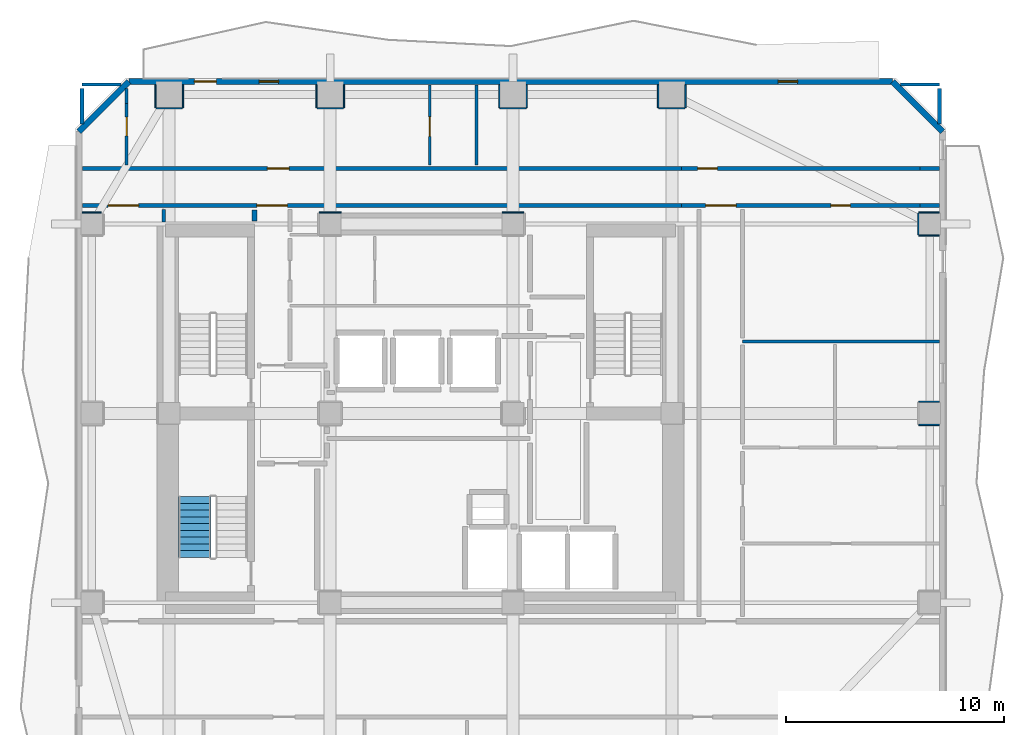
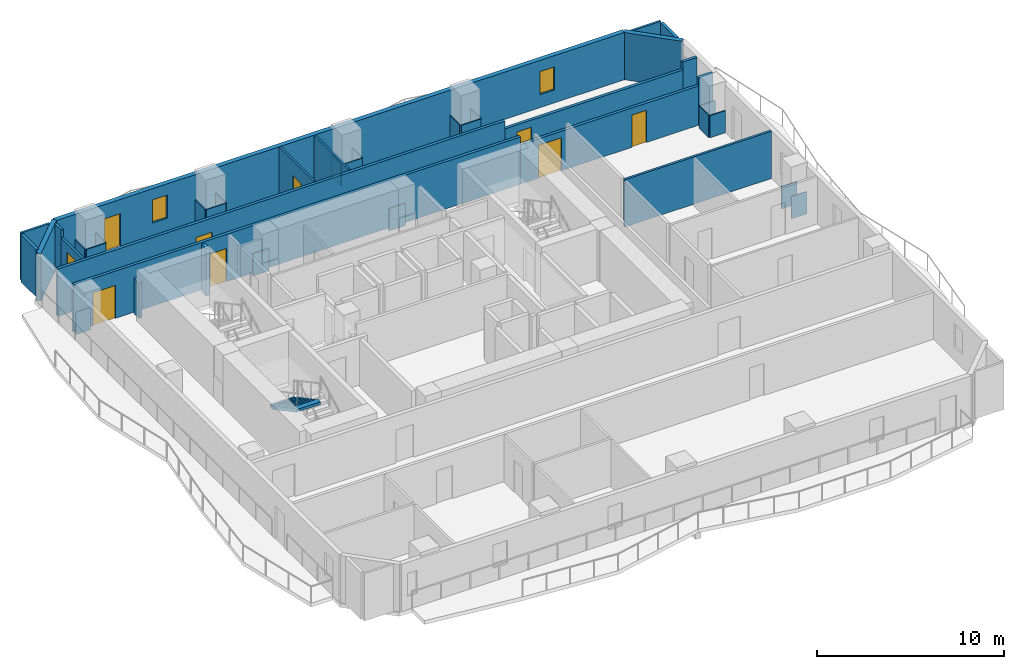
# One storey, part 5 of 9: 40 walls, 9 doors, 2 windows, 1 stair flight, 11 openings, 1 element without a shape of its own.
"""IFC4 building model written with IfcOpenShell, lengths in metres."""

from ifc_helpers import new_model, si_unit, direction, frame, frame_2d, origin, place, context, subcontext, project, spatial, polyline, rectangle, outline, extrude, material, layer, layer_set, type_object, element, fill, aggregate, save


model = new_model("IFC4")

# Units and contexts
model_context = context("Model", 3, precision=1e-05, world=origin(), true_north=direction((0.0, 1.0)))
body_context = subcontext(model_context, "Body", "Model", "MODEL_VIEW")
ifc_project = project(units=[si_unit("LENGTHUNIT", "METRE"), si_unit("AREAUNIT", "SQUARE_METRE"), si_unit("VOLUMEUNIT", "CUBIC_METRE"), si_unit("PLANEANGLEUNIT", "RADIAN"), si_unit("MASSUNIT", "GRAM", prefix="KILO")], contexts=[model_context])

# Site, building, storey
site_placement = place(None, origin())
site = spatial("IfcSite", under=ifc_project, at=site_placement, CompositionType="ELEMENT")
building_placement = place(site_placement, origin())
building = spatial("IfcBuilding", under=site, at=building_placement, Name="Solanera Arch Residences", CompositionType="ELEMENT")
storey_placement = place(building_placement, frame((0.0, 0.0, 139.280029296875)))
storey = spatial("IfcBuildingStorey", under=building, at=storey_placement, Name="L40", CompositionType="ELEMENT", Elevation=139.280029296875)

# Walls
ifc_material_1 = material(Name="Fire-Rated Gypsum Stud Partition", Category="gypsum")
ifc_layer_1 = layer(ifc_material_1, 0.06005859375)
ifc_layer_set_1 = layer_set([ifc_layer_1], Name="Fire-Rated Gypsum Stud Partition")
wall_type_1 = type_object("IfcWallType", Name="Column Acoustic Furring Wall 60", PredefinedType="PARTITIONING", material=ifc_layer_set_1)
for number, where, z_axis, x_axis, name in (
    (1, (20.300048828125, 39.931884765625, 0.0), (0.0, 0.0, 1.0), (1.0, 0.0, 0.0), "L40 Column Furring 3N"),
    (2, (28.699951171875, 39.931884765625, 0.0), (0.0, 0.0, 1.0), (1.0, 0.0, 0.0), "L40 Column Furring 4N"),
):
    element("IfcWall", number, at=place(storey_placement, frame(where, z_axis=z_axis, x_axis=x_axis)), inside=storey, type_object=wall_type_1, Name=name, PredefinedType="PARTITIONING", context=body_context, shape_type="SweptSolid", body=[
        extrude(rectangle(XDim=1.0, YDim=0.06005859375, at=frame_2d((0.5, 0.0))), origin(), (0.0, 0.0, 1.0), 1.449951171875),
    ])
wall_1_placement = place(storey_placement, frame((12.800048828125, 44.718017578125, 0.0), z_axis=(0.0, 0.0, 1.0), x_axis=(1.0, 0.0, 0.0)))
element("IfcWall", 3, at=wall_1_placement, inside=storey, type_object=wall_type_1, Name="L40 Column Furring 10S", PredefinedType="PARTITIONING", context=body_context, shape_type="SweptSolid", body=[
    extrude(rectangle(XDim=1.199951171875, YDim=0.06005859375, at=frame_2d((0.60009765625, 0.0))), origin(), (0.0, 0.0, 1.0), 1.449951171875),
])
for number, where, z_axis, x_axis, name in (
    (4, (12.76806640625, 44.75, 0.0), (0.0, 0.0, 1.0), (0.0, 1.0, 0.0), "L40 Column Furring 10W"),
    (5, (14.031982421875, 44.75, 0.0), (0.0, 0.0, 1.0), (0.0, 1.0, 0.0), "L40 Column Furring 10E"),
):
    element("IfcWall", number, at=place(storey_placement, frame(where, z_axis=z_axis, x_axis=x_axis)), inside=storey, type_object=wall_type_1, Name=name, PredefinedType="PARTITIONING", context=body_context, shape_type="SweptSolid", body=[
        extrude(rectangle(XDim=1.0400390625, YDim=0.06005859375, at=frame_2d((0.52001953125, 0.0))), origin(), (0.0, 0.0, 1.0), 1.449951171875),
    ])
wall_2_placement = place(storey_placement, frame((20.199951171875, 44.718017578125, 0.0), z_axis=(0.0, 0.0, 1.0), x_axis=(1.0, 0.0, 0.0)))
element("IfcWall", 6, at=wall_2_placement, inside=storey, type_object=wall_type_1, Name="L40 Column Furring 12S", PredefinedType="PARTITIONING", context=body_context, shape_type="SweptSolid", body=[
    extrude(rectangle(XDim=1.199951171875, YDim=0.06005859375, at=frame_2d((0.60009765625, 0.0))), origin(), (0.0, 0.0, 1.0), 1.449951171875),
])
for number, where, z_axis, x_axis, name in (
    (7, (20.16796875, 44.75, 0.0), (0.0, 0.0, 1.0), (0.0, 1.0, 0.0), "L40 Column Furring 12W"),
    (8, (21.431884765625, 44.75, 0.0), (0.0, 0.0, 1.0), (0.0, 1.0, 0.0), "L40 Column Furring 12E"),
):
    element("IfcWall", number, at=place(storey_placement, frame(where, z_axis=z_axis, x_axis=x_axis)), inside=storey, type_object=wall_type_1, Name=name, PredefinedType="PARTITIONING", context=body_context, shape_type="SweptSolid", body=[
        extrude(rectangle(XDim=1.0400390625, YDim=0.06005859375, at=frame_2d((0.52001953125, 0.0))), origin(), (0.0, 0.0, 1.0), 1.449951171875),
    ])
wall_3_placement = place(storey_placement, frame((28.60009765625, 44.718017578125, 0.0), z_axis=(0.0, 0.0, 1.0), x_axis=(1.0, 0.0, 0.0)))
element("IfcWall", 9, at=wall_3_placement, inside=storey, type_object=wall_type_1, Name="L40 Column Furring 14S", PredefinedType="PARTITIONING", context=body_context, shape_type="SweptSolid", body=[
    extrude(rectangle(XDim=1.199951171875, YDim=0.06005859375, at=frame_2d((0.60009765625, 0.0))), origin(), (0.0, 0.0, 1.0), 1.449951171875),
])
for number, where, z_axis, x_axis, name in (
    (10, (28.568115234375, 44.75, 0.0), (0.0, 0.0, 1.0), (0.0, 1.0, 0.0), "L40 Column Furring 14W"),
    (11, (29.83203125, 44.75, 0.0), (0.0, 0.0, 1.0), (0.0, 1.0, 0.0), "L40 Column Furring 14E"),
):
    element("IfcWall", number, at=place(storey_placement, frame(where, z_axis=z_axis, x_axis=x_axis)), inside=storey, type_object=wall_type_1, Name=name, PredefinedType="PARTITIONING", context=body_context, shape_type="SweptSolid", body=[
        extrude(rectangle(XDim=1.0400390625, YDim=0.06005859375, at=frame_2d((0.52001953125, 0.0))), origin(), (0.0, 0.0, 1.0), 1.449951171875),
    ])
wall_4_placement = place(storey_placement, frame((35.89990234375, 44.718017578125, 0.0), z_axis=(0.0, 0.0, 1.0), x_axis=(1.0, 0.0, 0.0)))
element("IfcWall", 12, at=wall_4_placement, inside=storey, type_object=wall_type_1, Name="L40 Column Furring 16S", PredefinedType="PARTITIONING", context=body_context, shape_type="SweptSolid", body=[
    extrude(rectangle(XDim=1.2001953125, YDim=0.06005859375, at=frame_2d((0.60009765625, 0.0))), origin(), (0.0, 0.0, 1.0), 1.449951171875),
])
for number, where, z_axis, x_axis, name in (
    (13, (35.867919921875, 44.75, 0.0), (0.0, 0.0, 1.0), (0.0, 1.0, 0.0), "L40 Column Furring 16W"),
    (14, (37.132080078125, 44.75, 0.0), (0.0, 0.0, 1.0), (0.0, 1.0, 0.0), "L40 Column Furring 16E"),
):
    element("IfcWall", number, at=place(storey_placement, frame(where, z_axis=z_axis, x_axis=x_axis)), inside=storey, type_object=wall_type_1, Name=name, PredefinedType="PARTITIONING", context=body_context, shape_type="SweptSolid", body=[
        extrude(rectangle(XDim=1.0400390625, YDim=0.06005859375, at=frame_2d((0.52001953125, 0.0))), origin(), (0.0, 0.0, 1.0), 1.449951171875),
    ])
for number, where, z_axis, x_axis, name in (
    (15, (47.85009765625, 30.16796875, 0.0), (0.0, 0.0, 1.0), (1.0, 0.0, 0.0), "L40 Column Furring 20S"),
    (16, (47.85009765625, 31.23193359375, 0.0), (0.0, 0.0, 1.0), (1.0, 0.0, 0.0), "L40 Column Furring 20N"),
):
    element("IfcWall", number, at=place(storey_placement, frame(where, z_axis=z_axis, x_axis=x_axis)), inside=storey, type_object=wall_type_1, Name=name, PredefinedType="PARTITIONING", context=body_context, shape_type="SweptSolid", body=[
        extrude(rectangle(XDim=0.93994140625, YDim=0.06005859375, at=frame_2d((0.469970703125, 0.0))), origin(), (0.0, 0.0, 1.0), 1.449951171875),
    ])
wall_5_placement = place(storey_placement, frame((9.409912109375, 39.931884765625, 0.0), z_axis=(0.0, 0.0, 1.0), x_axis=(1.0, 0.0, 0.0)))
element("IfcWall", 17, at=wall_5_placement, inside=storey, type_object=wall_type_1, Name="L40 Column Furring 21N", PredefinedType="PARTITIONING", context=body_context, shape_type="SweptSolid", body=[
    extrude(rectangle(XDim=0.87109375, YDim=0.06005859375, at=frame_2d((0.435546875, 0.0))), origin(), (0.0, 0.0, 1.0), 1.449951171875),
])
for number, where, z_axis, x_axis, name in (
    (18, (47.85009765625, 38.867919921875, 0.0), (0.0, 0.0, 1.0), (1.0, 0.0, 0.0), "L40 Column Furring 22S"),
    (19, (47.85009765625, 39.931884765625, 0.0), (0.0, 0.0, 1.0), (1.0, 0.0, 0.0), "L40 Column Furring 22N"),
):
    element("IfcWall", number, at=place(storey_placement, frame(where, z_axis=z_axis, x_axis=x_axis)), inside=storey, type_object=wall_type_1, Name=name, PredefinedType="PARTITIONING", context=body_context, shape_type="SweptSolid", body=[
        extrude(rectangle(XDim=0.93994140625, YDim=0.06005859375, at=frame_2d((0.469970703125, 0.0))), origin(), (0.0, 0.0, 1.0), 1.449951171875),
    ])
wall_6_placement = place(storey_placement, frame((47.818115234375, 38.89990234375, 0.0), z_axis=(0.0, 0.0, 1.0), x_axis=(0.0, 1.0, 0.0)))
element("IfcWall", 20, at=wall_6_placement, inside=storey, type_object=wall_type_1, Name="L40 Column Furring 22W", PredefinedType="PARTITIONING", context=body_context, shape_type="SweptSolid", body=[
    extrude(rectangle(XDim=1.0, YDim=0.06005859375, at=frame_2d((0.5, 0.0))), origin(), (0.0, 0.0, 1.0), 1.449951171875),
])

# Wall, openings, doors
ifc_material_2 = material(Name="Autoclaved Aerated Concrete Blockwork", Category="masonry")
ifc_layer_2 = layer(ifc_material_2, 0.179931640625)
ifc_layer_set_2 = layer_set([ifc_layer_2], Name="Autoclaved Aerated Concrete Blockwork")
wall_type_2 = type_object("IfcWallType", Name="Corridor Fire Partition 180", PredefinedType="PARTITIONING", material=ifc_layer_set_2)
wall_7_placement = place(storey_placement, frame((9.406982421875, 40.25, 0.0), z_axis=(0.0, 0.0, 1.0), x_axis=(1.0, 0.0, 0.0)))
wall_7 = element("IfcWall", 21, at=wall_7_placement, inside=storey, type_object=wall_type_2, Name="L40 Interior Partition H10 1", PredefinedType="PARTITIONING", context=body_context, shape_type="SweptSolid", body=[
    extrude(rectangle(XDim=27.5361328125, YDim=0.179931640625, at=frame_2d((13.76806640625, 0.0))), origin(), (0.0, 0.0, 1.0), 3.080078125),
])
opening_1_placement = place(wall_7_placement, frame((8.028076171875, 0.0, 0.0)))
opening_1 = element("IfcOpeningElement", 22, at=opening_1_placement, cuts=wall_7, Name="Opening DF-03", PredefinedType="OPENING", context=body_context, shape_type="SweptSolid", body=[
    extrude(rectangle(XDim=1.39990234375, YDim=2.14990234375, at=frame_2d((0.699951171875, 1.074951171875))), frame((0.0, 0.10009765625, 0.0), z_axis=(0.0, -1.0, 0.0), x_axis=(1.0, 0.0, 0.0)), (0.0, 0.0, 1.0), 0.1999),
])
opening_2_placement = place(wall_7_placement, frame((1.19189453125, 0.0, 0.0)))
opening_2 = element("IfcOpeningElement", 23, at=opening_2_placement, cuts=wall_7, Name="Opening DF-03", PredefinedType="OPENING", context=body_context, shape_type="SweptSolid", body=[
    extrude(rectangle(XDim=1.39990234375, YDim=2.14990234375, at=frame_2d((0.699951171875, 1.074951171875))), frame((0.0, 0.10009765625, 0.0), z_axis=(0.0, -1.0, 0.0), x_axis=(1.0, 0.0, 0.0)), (0.0, 0.0, 1.0), 0.1999),
])
ifc_material_3 = material(Name="Fire-Rated Architectural Hardwood", Category="wood")
door_type_1 = type_object("IfcDoorType", Name="Corridor Smoke Door DF-03", OperationType="NOTDEFINED", PredefinedType="DOOR", material=ifc_material_3)
door_1_placement = place(opening_1_placement, origin())
door_1 = element("IfcDoor", 24, at=door_1_placement, inside=storey, type_object=door_type_1, Name="DR-L40-IN-009", OperationType="SINGLE_SWING_RIGHT", OverallHeight=2.14990234375, OverallWidth=1.39990234375, PredefinedType="DOOR", context=body_context, shape_type="SweptSolid", body=[
    extrude(rectangle(XDim=1.39990234375, YDim=2.14990234375, at=frame_2d((0.699951171875, 1.074951171875))), frame((0.0, 0.02490234375, 0.0), z_axis=(0.0, -1.0, 0.0), x_axis=(1.0, 0.0, 0.0)), (0.0, 0.0, 1.0), 0.050048828125),
])
fill(opening_1, door_1)
door_2_placement = place(opening_2_placement, origin())
door_2 = element("IfcDoor", 25, at=door_2_placement, inside=storey, type_object=door_type_1, Name="DR-L40-IN-012", OperationType="SINGLE_SWING_LEFT", OverallHeight=2.14990234375, OverallWidth=1.39990234375, PredefinedType="DOOR", context=body_context, shape_type="SweptSolid", body=[
    extrude(rectangle(XDim=1.39990234375, YDim=2.14990234375, at=frame_2d((0.699951171875, 1.074951171875))), frame((0.0, 0.02490234375, 0.0), z_axis=(0.0, -1.0, 0.0), x_axis=(1.0, 0.0, 0.0)), (0.0, 0.0, 1.0), 0.050048828125),
])
fill(opening_2, door_2)

wall_8_placement = place(storey_placement, frame((36.943115234375, 40.25, 0.0), z_axis=(0.0, 0.0, 1.0), x_axis=(1.0, 0.0, 0.0)))
wall_8 = element("IfcWall", 26, at=wall_8_placement, inside=storey, type_object=wall_type_2, Name="L40 Interior Partition H10 2", PredefinedType="PARTITIONING", context=body_context, shape_type="SweptSolid", body=[
    extrude(rectangle(XDim=10.9638671875, YDim=0.179931640625, at=frame_2d((5.48193359375, 0.0))), origin(), (0.0, 0.0, 1.0), 2.56494140625),
])
opening_3_placement = place(wall_8_placement, frame((1.10693359375, 0.0, 0.0)))
opening_3 = element("IfcOpeningElement", 27, at=opening_3_placement, cuts=wall_8, Name="Opening DF-03", PredefinedType="OPENING", context=body_context, shape_type="SweptSolid", body=[
    extrude(rectangle(XDim=1.39990234375, YDim=2.14990234375, at=frame_2d((0.699951171875, 1.074951171875))), frame((0.0, 0.10009765625, 0.0), z_axis=(0.0, -1.0, 0.0), x_axis=(1.0, 0.0, 0.0)), (0.0, 0.0, 1.0), 0.1999),
])
opening_4_placement = place(wall_8_placement, frame((6.85791015625, 0.0, 0.0)))
opening_4 = element("IfcOpeningElement", 28, at=opening_4_placement, cuts=wall_8, Name="Opening DI-02", PredefinedType="OPENING", context=body_context, shape_type="SweptSolid", body=[
    extrude(rectangle(XDim=0.89990234375, YDim=2.10009765625, at=frame_2d((0.449951171875, 1.050048828125))), frame((0.0, 0.10009765625, 0.0), z_axis=(0.0, -1.0, 0.0), x_axis=(1.0, 0.0, 0.0)), (0.0, 0.0, 1.0), 0.1999),
])
door_3_placement = place(opening_3_placement, origin())
door_3 = element("IfcDoor", 29, at=door_3_placement, inside=storey, type_object=door_type_1, Name="DR-L40-IN-013", OperationType="SINGLE_SWING_RIGHT", OverallHeight=2.14990234375, OverallWidth=1.39990234375, PredefinedType="DOOR", context=body_context, shape_type="SweptSolid", body=[
    extrude(rectangle(XDim=1.39990234375, YDim=2.14990234375, at=frame_2d((0.699951171875, 1.074951171875))), frame((0.0, 0.02490234375, 0.0), z_axis=(0.0, -1.0, 0.0), x_axis=(1.0, 0.0, 0.0)), (0.0, 0.0, 1.0), 0.050048828125),
])
fill(opening_3, door_3)
ifc_material_4 = material(Name="Fire-Rated Architectural Hardwood", Category="wood")
door_type_2 = type_object("IfcDoorType", Name="Suite Room Swing Door DI-02", OperationType="NOTDEFINED", PredefinedType="DOOR", material=ifc_material_4)
door_4_placement = place(opening_4_placement, origin())
door_4 = element("IfcDoor", 30, at=door_4_placement, inside=storey, type_object=door_type_2, Name="DR-L40-IN-030", OperationType="SINGLE_SWING_LEFT", OverallHeight=2.10009765625, OverallWidth=0.89990234375, PredefinedType="DOOR", context=body_context, shape_type="SweptSolid", body=[
    extrude(rectangle(XDim=0.89990234375, YDim=2.10009765625, at=frame_2d((0.449951171875, 1.050048828125))), frame((0.0, 0.02490234375, 0.0), z_axis=(0.0, -1.0, 0.0), x_axis=(1.0, 0.0, 0.0)), (0.0, 0.0, 1.0), 0.050048828125),
])
fill(opening_4, door_4)

# Wall
wall_9_placement = place(storey_placement, frame((47.906982421875, 40.25, 0.0), z_axis=(0.0, 0.0, 1.0), x_axis=(1.0, 0.0, 0.0)))
element("IfcWall", 31, at=wall_9_placement, inside=storey, type_object=wall_type_2, Name="L40 Interior Partition H10 3", PredefinedType="PARTITIONING", context=body_context, shape_type="SweptSolid", body=[
    extrude(rectangle(XDim=0.885986328125, YDim=0.179931640625, at=frame_2d((0.44287109375, 0.0))), origin(), (0.0, 0.0, 1.0), 3.080078125),
])

# Wall, opening, door
wall_10_placement = place(storey_placement, frame((9.406982421875, 41.949951171875, 0.0), z_axis=(0.0, 0.0, 1.0), x_axis=(1.0, 0.0, 0.0)))
wall_10 = element("IfcWall", 32, at=wall_10_placement, inside=storey, type_object=wall_type_2, Name="L40 Interior Partition H11 1", PredefinedType="PARTITIONING", context=body_context, shape_type="SweptSolid", body=[
    extrude(rectangle(XDim=27.5361328125, YDim=0.179931640625, at=frame_2d((13.76806640625, 0.0))), origin(), (0.0, 0.0, 1.0), 3.080078125),
])
opening_5_placement = place(wall_10_placement, frame((8.5029296875, 0.0, 0.0)))
opening_5 = element("IfcOpeningElement", 33, at=opening_5_placement, cuts=wall_10, Name="Opening DI-01", PredefinedType="OPENING", context=body_context, shape_type="SweptSolid", body=[
    extrude(rectangle(XDim=1.0, YDim=2.14990234375, at=frame_2d((0.5, 1.074951171875))), frame((0.0, 0.10009765625, 0.0), z_axis=(0.0, -1.0, 0.0), x_axis=(1.0, 0.0, 0.0)), (0.0, 0.0, 1.0), 0.1999),
])
ifc_material_5 = material(Name="Fire-Rated Architectural Hardwood", Category="wood")
door_type_3 = type_object("IfcDoorType", Name="Unit Entrance Fire Door DI-01", OperationType="NOTDEFINED", PredefinedType="DOOR", material=ifc_material_5)
door_5_placement = place(opening_5_placement, origin())
door_5 = element("IfcDoor", 34, at=door_5_placement, inside=storey, type_object=door_type_3, Name="DR-L40-IN-022", OperationType="SINGLE_SWING_LEFT", OverallHeight=2.14990234375, OverallWidth=1.0, PredefinedType="DOOR", context=body_context, shape_type="SweptSolid", body=[
    extrude(rectangle(XDim=1.0, YDim=2.14990234375, at=frame_2d((0.5, 1.074951171875))), frame((0.0, 0.02490234375, 0.0), z_axis=(0.0, -1.0, 0.0), x_axis=(1.0, 0.0, 0.0)), (0.0, 0.0, 1.0), 0.050048828125),
])
fill(opening_5, door_5)

wall_11_placement = place(storey_placement, frame((36.943115234375, 41.949951171875, 0.0), z_axis=(0.0, 0.0, 1.0), x_axis=(1.0, 0.0, 0.0)))
wall_11 = element("IfcWall", 35, at=wall_11_placement, inside=storey, type_object=wall_type_2, Name="L40 Interior Partition H11 2", PredefinedType="PARTITIONING", context=body_context, shape_type="SweptSolid", body=[
    extrude(rectangle(XDim=10.9638671875, YDim=0.179931640625, at=frame_2d((5.48193359375, 0.0))), origin(), (0.0, 0.0, 1.0), 2.56494140625),
])
opening_6_placement = place(wall_11_placement, frame((0.742919921875, 0.0, 0.0)))
opening_6 = element("IfcOpeningElement", 36, at=opening_6_placement, cuts=wall_11, Name="Opening DI-02", PredefinedType="OPENING", context=body_context, shape_type="SweptSolid", body=[
    extrude(rectangle(XDim=0.89990234375, YDim=2.10009765625, at=frame_2d((0.449951171875, 1.050048828125))), frame((0.0, 0.10009765625, 0.0), z_axis=(0.0, -1.0, 0.0), x_axis=(1.0, 0.0, 0.0)), (0.0, 0.0, 1.0), 0.1999),
])
door_6_placement = place(opening_6_placement, origin())
door_6 = element("IfcDoor", 37, at=door_6_placement, inside=storey, type_object=door_type_2, Name="DR-L40-IN-025", OperationType="SINGLE_SWING_RIGHT", OverallHeight=2.10009765625, OverallWidth=0.89990234375, PredefinedType="DOOR", context=body_context, shape_type="SweptSolid", body=[
    extrude(rectangle(XDim=0.89990234375, YDim=2.10009765625, at=frame_2d((0.449951171875, 1.050048828125))), frame((0.0, 0.02490234375, 0.0), z_axis=(0.0, -1.0, 0.0), x_axis=(1.0, 0.0, 0.0)), (0.0, 0.0, 1.0), 0.050048828125),
])
fill(opening_6, door_6)

# Walls
wall_12_placement = place(storey_placement, frame((47.906982421875, 41.949951171875, 0.0), z_axis=(0.0, 0.0, 1.0), x_axis=(1.0, 0.0, 0.0)))
element("IfcWall", 38, at=wall_12_placement, inside=storey, type_object=wall_type_2, Name="L40 Interior Partition H11 3", PredefinedType="PARTITIONING", context=body_context, shape_type="SweptSolid", body=[
    extrude(rectangle(XDim=0.885986328125, YDim=0.179931640625, at=frame_2d((0.44287109375, 0.0))), origin(), (0.0, 0.0, 1.0), 3.080078125),
])
wall_13_placement = place(storey_placement, frame((9.39990234375, 44.0048828125, 0.0), z_axis=(0.0, 0.0, 1.0), x_axis=(0.0, 1.0, 0.0)))
element("IfcWall", 39, at=wall_13_placement, inside=storey, type_object=wall_type_2, Name="L40 Interior Partition V6 2", PredefinedType="PARTITIONING", context=body_context, shape_type="SweptSolid", body=[
    extrude(rectangle(XDim=1.627197265625, YDim=0.179931640625, at=frame_2d((0.8134765625, 0.0))), origin(), (0.0, 0.0, 1.0), 3.080078125),
])
wall_14_placement = place(storey_placement, frame((13.14990234375, 39.5, 0.0), z_axis=(0.0, 0.0, 1.0), x_axis=(0.0, 1.0, 0.0)))
element("IfcWall", 40, at=wall_14_placement, inside=storey, type_object=wall_type_2, Name="L40 Interior Partition V7", PredefinedType="PARTITIONING", context=body_context, shape_type="SweptSolid", body=[
    extrude(rectangle(XDim=0.56201171875, YDim=0.179931640625, at=frame_2d((0.281005859375, 0.0))), origin(), (0.0, 0.0, 1.0), 2.31494140625),
])
wall_15_placement = place(storey_placement, frame((48.800048828125, 44.0048828125, 0.0), z_axis=(0.0, 0.0, 1.0), x_axis=(0.0, 1.0, 0.0)))
element("IfcWall", 41, at=wall_15_placement, inside=storey, type_object=wall_type_2, Name="L40 Interior Partition V12 2", PredefinedType="PARTITIONING", context=body_context, shape_type="SweptSolid", body=[
    extrude(rectangle(XDim=1.627197265625, YDim=0.179931640625, at=frame_2d((0.8134765625, 0.0))), origin(), (0.0, 0.0, 1.0), 3.080078125),
])
ifc_material_6 = material(Name="Precast Concrete C35/45", Category="concrete")
ifc_layer_3 = layer(ifc_material_6, 0.280029296875)
ifc_layer_set_3 = layer_set([ifc_layer_3], Name="Precast Concrete C35/45")
wall_type_3 = type_object("IfcWallType", Name="Exterior Wall Precast Masonry-Frame 280", PredefinedType="STANDARD", material=ifc_layer_set_3)
wall_16_placement = place(storey_placement, frame((9.2548828125, 43.64501953125, 0.0), z_axis=(0.0, 0.0, 1.0), x_axis=(0.707106781187, 0.707106781187, 0.0)))
element("IfcWall", 42, at=wall_16_placement, inside=storey, type_object=wall_type_3, Name="L40 Tower Exterior Precast Masonry-Frame Wall CH1", PredefinedType="STANDARD", context=body_context, shape_type="SweptSolid", body=[
    extrude(rectangle(XDim=3.252685546875, YDim=0.280029296875, at=frame_2d((1.62646484375, 0.0))), origin(), (0.0, 0.0, 1.0), 3.080078125),
])

# Wall, openings, door, windows
wall_17_placement = place(storey_placement, frame((11.554931640625, 45.945068359375, 0.0), z_axis=(0.0, 0.0, 1.0), x_axis=(1.0, 0.0, 0.0)))
wall_17 = element("IfcWall", 43, at=wall_17_placement, inside=storey, type_object=wall_type_3, Name="L40 Tower Exterior Precast Masonry-Frame Wall N", PredefinedType="STANDARD", context=body_context, shape_type="SweptSolid", body=[
    extrude(rectangle(XDim=35.090087890625, YDim=0.280029296875, at=frame_2d((17.544921875, 0.0))), origin(), (0.0, 0.0, 1.0), 3.080078125),
])
opening_7_placement = place(wall_17_placement, frame((3.009033203125, 0.0, 0.0)))
opening_7 = element("IfcOpeningElement", 44, at=opening_7_placement, cuts=wall_17, Name="Opening DB-01", PredefinedType="OPENING", context=body_context, shape_type="SweptSolid", body=[
    extrude(rectangle(XDim=1.0, YDim=2.14990234375, at=frame_2d((0.5, 1.074951171875))), frame((0.0, 0.14990234375, 0.0), z_axis=(0.0, -1.0, 0.0), x_axis=(1.0, 0.0, 0.0)), (0.0, 0.0, 1.0), 0.3),
])
opening_8_placement = place(wall_17_placement, frame((5.97705078125, 0.0, 0.85009765625)))
opening_8 = element("IfcOpeningElement", 45, at=opening_8_placement, cuts=wall_17, Name="Opening W-06", PredefinedType="OPENING", context=body_context, shape_type="SweptSolid", body=[
    extrude(rectangle(XDim=0.89990234375, YDim=1.5, at=frame_2d((0.449951171875, 0.75))), frame((0.0, 0.14990234375, 0.0), z_axis=(0.0, -1.0, 0.0), x_axis=(1.0, 0.0, 0.0)), (0.0, 0.0, 1.0), 0.3),
])
opening_9_placement = place(wall_17_placement, frame((29.822998046875, 0.0, 0.85009765625)))
opening_9 = element("IfcOpeningElement", 46, at=opening_9_placement, cuts=wall_17, Name="Opening W-06", PredefinedType="OPENING", context=body_context, shape_type="SweptSolid", body=[
    extrude(rectangle(XDim=0.89990234375, YDim=1.5, at=frame_2d((0.449951171875, 0.75))), frame((0.0, 0.14990234375, 0.0), z_axis=(0.0, -1.0, 0.0), x_axis=(1.0, 0.0, 0.0)), (0.0, 0.0, 1.0), 0.3),
])
ifc_material_7 = material(Name="Anodised Aluminium Alloy 6063-T6", Category="aluminium")
door_type_4 = type_object("IfcDoorType", Name="Glazed Balcony Swing Door DB-01", OperationType="NOTDEFINED", PredefinedType="DOOR", material=ifc_material_7)
door_7_placement = place(opening_7_placement, origin())
door_7 = element("IfcDoor", 47, at=door_7_placement, inside=storey, type_object=door_type_4, Name="DR-L40-OUT-02", OperationType="SINGLE_SWING_LEFT", OverallHeight=2.14990234375, OverallWidth=1.0, PredefinedType="DOOR", context=body_context, shape_type="SweptSolid", body=[
    extrude(rectangle(XDim=1.0, YDim=2.14990234375, at=frame_2d((0.5, 1.074951171875))), frame((0.0, 0.02490234375, 0.0), z_axis=(0.0, -1.0, 0.0), x_axis=(1.0, 0.0, 0.0)), (0.0, 0.0, 1.0), 0.050048828125),
])
fill(opening_7, door_7)
ifc_material_8 = material(Name="Double Glazed Low-E Laminated Glass", Category="glass")
window_type = type_object("IfcWindowType", Name="Punched Window W-06", PartitioningType="SINGLE_PANEL", PredefinedType="WINDOW", material=ifc_material_8)
window_1_placement = place(opening_8_placement, origin())
window_1 = element("IfcWindow", 48, at=window_1_placement, inside=storey, type_object=window_type, Name="L40 4002-LIV Punched Window", OverallHeight=1.5, OverallWidth=0.89990234375, PartitioningType="SINGLE_PANEL", PredefinedType="WINDOW", context=body_context, shape_type="SweptSolid", body=[
    extrude(rectangle(XDim=0.89990234375, YDim=1.5, at=frame_2d((0.449951171875, 0.75))), frame((0.0, 0.030029296875, 0.0), z_axis=(0.0, -1.0, 0.0), x_axis=(1.0, 0.0, 0.0)), (0.0, 0.0, 1.0), 0.06005859375),
])
fill(opening_8, window_1)
window_2_placement = place(opening_9_placement, origin())
window_2 = element("IfcWindow", 49, at=window_2_placement, inside=storey, type_object=window_type, Name="L40 AMN-MTG1 Punched Window", OverallHeight=1.5, OverallWidth=0.89990234375, PartitioningType="SINGLE_PANEL", PredefinedType="WINDOW", context=body_context, shape_type="SweptSolid", body=[
    extrude(rectangle(XDim=0.89990234375, YDim=1.5, at=frame_2d((0.449951171875, 0.75))), frame((0.0, 0.030029296875, 0.0), z_axis=(0.0, -1.0, 0.0), x_axis=(1.0, 0.0, 0.0)), (0.0, 0.0, 1.0), 0.06005859375),
])
fill(opening_9, window_2)

# Walls
wall_18_placement = place(storey_placement, frame((46.64501953125, 45.945068359375, 0.0), z_axis=(0.0, 0.0, 1.0), x_axis=(0.707106781187, -0.707106781187, 0.0)))
element("IfcWall", 50, at=wall_18_placement, inside=storey, type_object=wall_type_3, Name="L40 Tower Exterior Precast Masonry-Frame Wall CH3", PredefinedType="STANDARD", context=body_context, shape_type="SweptSolid", body=[
    extrude(rectangle(XDim=3.252685546875, YDim=0.280029296875, at=frame_2d((1.62646484375, 0.0))), origin(), (0.0, 0.0, 1.0), 3.080078125),
])
ifc_material_9 = material(Name="Autoclaved Aerated Concrete Blockwork", Category="masonry")
ifc_layer_4 = layer(ifc_material_9, 0.239990234375)
ifc_layer_set_4 = layer_set([ifc_layer_4], Name="Autoclaved Aerated Concrete Blockwork")
wall_type_4 = type_object("IfcWallType", Name="Shaft Wall Fire-Rated 240", PredefinedType="PARTITIONING", material=ifc_layer_set_4)
wall_19_placement = place(storey_placement, frame((17.320068359375, 39.530029296875, 0.0), z_axis=(0.0, 0.0, 1.0), x_axis=(0.0, 1.0, 0.0)))
element("IfcWall", 51, at=wall_19_placement, inside=storey, type_object=wall_type_4, Name="L40 Interior Partition V1", PredefinedType="PARTITIONING", context=body_context, shape_type="SweptSolid", body=[
    extrude(rectangle(XDim=0.501953125, YDim=0.239990234375, at=frame_2d((0.2509765625, 0.0))), origin(), (0.0, 0.0, 1.0), 3.080078125),
])

# Wall, opening, door
ifc_material_10 = material(Name="Fire-Rated Gypsum Stud Partition", Category="gypsum")
ifc_layer_5 = layer(ifc_material_10, 0.1201171875)
ifc_layer_set_5 = layer_set([ifc_layer_5], Name="Fire-Rated Gypsum Stud Partition")
wall_type_5 = type_object("IfcWallType", Name="Unit Drywall Partition 120", PredefinedType="PARTITIONING", material=ifc_layer_set_5)
wall_20_placement = place(storey_placement, frame((25.3701171875, 42.10791015625, 0.0), z_axis=(0.0, 0.0, 1.0), x_axis=(0.0, 1.0, 0.0)))
wall_20 = element("IfcWall", 52, at=wall_20_placement, inside=storey, type_object=wall_type_5, Name="L40 Interior Partition V18", PredefinedType="PARTITIONING", context=body_context, shape_type="SweptSolid", body=[
    extrude(rectangle(XDim=3.68505859375, YDim=0.1201171875, at=frame_2d((1.842529296875, 0.0))), origin(), (0.0, 0.0, 1.0), 3.080078125),
])
opening_10_placement = place(wall_20_placement, frame((1.31689453125, 0.0, 0.0)))
opening_10 = element("IfcOpeningElement", 53, at=opening_10_placement, cuts=wall_20, Name="Opening DI-02", PredefinedType="OPENING", context=body_context, shape_type="SweptSolid", body=[
    extrude(rectangle(XDim=0.89990234375, YDim=2.10009765625, at=frame_2d((0.449951171875, 1.050048828125))), frame((0.0, 0.070068359375, 0.0), z_axis=(0.0, -1.0, 0.0), x_axis=(1.0, 0.0, 0.0)), (0.0, 0.0, 1.0), 0.1401),
])
door_8_placement = place(opening_10_placement, origin())
door_8 = element("IfcDoor", 54, at=door_8_placement, inside=storey, type_object=door_type_2, Name="DR-L40-IN-024", OperationType="SINGLE_SWING_LEFT", OverallHeight=2.10009765625, OverallWidth=0.89990234375, PredefinedType="DOOR", context=body_context, shape_type="SweptSolid", body=[
    extrude(rectangle(XDim=0.89990234375, YDim=2.10009765625, at=frame_2d((0.449951171875, 1.050048828125))), frame((0.0, 0.02490234375, 0.0), z_axis=(0.0, -1.0, 0.0), x_axis=(1.0, 0.0, 0.0)), (0.0, 0.0, 1.0), 0.050048828125),
])
fill(opening_10, door_8)

# Walls
wall_21_placement = place(storey_placement, frame((27.52001953125, 42.10791015625, 0.0), z_axis=(0.0, 0.0, 1.0), x_axis=(0.0, 1.0, 0.0)))
element("IfcWall", 55, at=wall_21_placement, inside=storey, type_object=wall_type_5, Name="L40 Interior Partition V20", PredefinedType="PARTITIONING", context=body_context, shape_type="SweptSolid", body=[
    extrude(rectangle(XDim=3.68505859375, YDim=0.1201171875, at=frame_2d((1.842529296875, 0.0))), origin(), (0.0, 0.0, 1.0), 3.080078125),
])
ifc_material_11 = material(Name="Autoclaved Aerated Concrete Blockwork", Category="masonry")
ifc_layer_6 = layer(ifc_material_11, 0.139892578125)
ifc_layer_set_6 = layer_set([ifc_layer_6], Name="Autoclaved Aerated Concrete Blockwork")
wall_type_6 = type_object("IfcWallType", Name="Wet-Room Partition 140", PredefinedType="PARTITIONING", material=ifc_layer_set_6)
wall_22_placement = place(storey_placement, frame((39.75, 34.0, 0.0), z_axis=(0.0, 0.0, 1.0), x_axis=(1.0, 0.0, 0.0)))
element("IfcWall", 56, at=wall_22_placement, inside=storey, type_object=wall_type_6, Name="L40 Interior Partition H15", PredefinedType="PARTITIONING", context=body_context, shape_type="SweptSolid", body=[
    extrude(rectangle(XDim=9.04296875, YDim=0.139892578125, at=frame_2d((4.521484375, 0.0))), origin(), (0.0, 0.0, 1.0), 3.080078125),
])
for number, where, z_axis, x_axis, name in (
    (57, (9.39990234375, 45.800048828125, 0.0), (0.0, 0.0, 1.0), (1.0, 0.0, 0.0), "L40 Interior Partition H16 1"),
    (58, (47.0048828125, 45.800048828125, 0.0), (0.0, 0.0, 1.0), (1.0, 0.0, 0.0), "L40 Interior Partition H16 2"),
):
    element("IfcWall", number, at=place(storey_placement, frame(where, z_axis=z_axis, x_axis=x_axis)), inside=storey, type_object=wall_type_6, Name=name, PredefinedType="PARTITIONING", context=body_context, shape_type="SweptSolid", body=[
        extrude(rectangle(XDim=1.795166015625, YDim=0.139892578125, at=frame_2d((0.8974609375, 0.0))), origin(), (0.0, 0.0, 1.0), 3.080078125),
    ])

# Wall, opening, door
wall_23_placement = place(storey_placement, frame((11.449951171875, 42.117919921875, 0.0), z_axis=(0.0, 0.0, 1.0), x_axis=(0.0, 1.0, 0.0)))
wall_23 = element("IfcWall", 59, at=wall_23_placement, inside=storey, type_object=wall_type_6, Name="L40 Interior Partition V13 1", PredefinedType="PARTITIONING", context=body_context, shape_type="SweptSolid", body=[
    extrude(rectangle(XDim=2.80810546875, YDim=0.139892578125, at=frame_2d((1.404052734375, 0.0))), origin(), (0.0, 0.0, 1.0), 2.56494140625),
])
opening_11_placement = place(wall_23_placement, frame((1.326904296875, 0.0, 0.0)))
opening_11 = element("IfcOpeningElement", 60, at=opening_11_placement, cuts=wall_23, Name="Opening DI-05", PredefinedType="OPENING", context=body_context, shape_type="SweptSolid", body=[
    extrude(rectangle(XDim=0.860107421875, YDim=2.02001953125, at=frame_2d((0.43017578125, 1.010009765625))), frame((0.0, 0.079833984375, 0.0), z_axis=(0.0, -1.0, 0.0), x_axis=(1.0, 0.0, 0.0)), (0.0, 0.0, 1.0), 0.1599),
])
ifc_material_12 = material(Name="Fire-Rated Architectural Hardwood", Category="wood")
door_type_5 = type_object("IfcDoorType", Name="Bathroom Swing Door DI-05", OperationType="NOTDEFINED", PredefinedType="DOOR", material=ifc_material_12)
door_9_placement = place(opening_11_placement, origin())
door_9 = element("IfcDoor", 61, at=door_9_placement, inside=storey, type_object=door_type_5, Name="DR-L40-IN-023", OperationType="SINGLE_SWING_RIGHT", OverallHeight=2.02001953125, OverallWidth=0.860107421875, PredefinedType="DOOR", context=body_context, shape_type="SweptSolid", body=[
    extrude(rectangle(XDim=0.860107421875, YDim=2.02001953125, at=frame_2d((0.43017578125, 1.010009765625))), frame((0.0, 0.02490234375, 0.0), z_axis=(0.0, -1.0, 0.0), x_axis=(1.0, 0.0, 0.0)), (0.0, 0.0, 1.0), 0.050048828125),
])
fill(opening_11, door_9)

# Wall
wall_24_placement = place(storey_placement, frame((11.449951171875, 44.926025390625, 0.0), z_axis=(0.0, 0.0, 1.0), x_axis=(0.0, 1.0, 0.0)))
element("IfcWall", 62, at=wall_24_placement, inside=storey, type_object=wall_type_6, Name="L40 Interior Partition V13 2", PredefinedType="PARTITIONING", context=body_context, shape_type="SweptSolid", body=[
    extrude(rectangle(XDim=0.698974609375, YDim=0.139892578125, at=frame_2d((0.349609375, 0.0))), origin(), (0.0, 0.0, 1.0), 3.080078125),
])

# Stair, stair flight
ifc_material_13 = material(Name="Concrete C40/50 (f'c = 45 MPa)", Category="concrete")
stair_type = type_object("IfcStairType", Name="Tower Dogleg Exit Stair 1480", PredefinedType="HALF_TURN_STAIR", material=ifc_material_13)
stair_placement = place(storey_placement, origin())
stair = element("IfcStair", 63, at=stair_placement, inside=storey, type_object=stair_type, Name="L40 Tower Core Exit Stair 3", PredefinedType="HALF_TURN_STAIR")
ifc_material_14 = material(Name="Concrete C40/50 (f'c = 45 MPa)", Category="concrete")
stair_flight_type = type_object("IfcStairFlightType", Name="Tower Precast Stair Flight 1480", PredefinedType="STRAIGHT", material=ifc_material_14)
stair_flight_placement = place(storey_placement, frame((14.580078125, 26.8701171875, 1.659912109375), z_axis=(0.0, 0.0, 1.0), x_axis=(0.0, -1.0, 0.0)))
stair_flight = element("IfcStairFlight", 64, at=stair_flight_placement, type_object=stair_flight_type, Name="ST-T3 flight 2", NumberOfRisers=10, NumberOfTreads=9, PredefinedType="STRAIGHT", RiserHeight=0.166, TreadLength=0.31, context=body_context, shape_type="SweptSolid", body=[
    extrude(outline(polyline([(0.0, 0.0), (0.0, 0.166015625), (0.31005859375, 0.166015625), (0.31005859375, 0.33203125), (0.6201171875, 0.33203125), (0.6201171875, 0.498046875), (0.929931640625, 0.498046875), (0.929931640625, 0.6640625), (1.239990234375, 0.6640625), (1.239990234375, 0.830078125), (1.550048828125, 0.830078125), (1.550048828125, 0.99609375), (1.860107421875, 0.99609375), (1.860107421875, 1.162109375), (2.169921875, 1.162109375), (2.169921875, 1.327880859375), (2.47998046875, 1.327880859375), (2.47998046875, 1.493896484375), (2.7900390625, 1.493896484375), (2.7900390625, 1.659912109375), (2.7900390625, 1.323974609375), (0.317626953125, 0.0), (0.0, 0.0)])), frame((0.0, 0.739990234375, 0.0), z_axis=(0.0, -1.0, 0.0), x_axis=(1.0, 0.0, 0.0)), (0.0, 0.0, 1.0), 1.47998046875),
])
aggregate(stair, [stair_flight])

save(model, "model.ifc")
